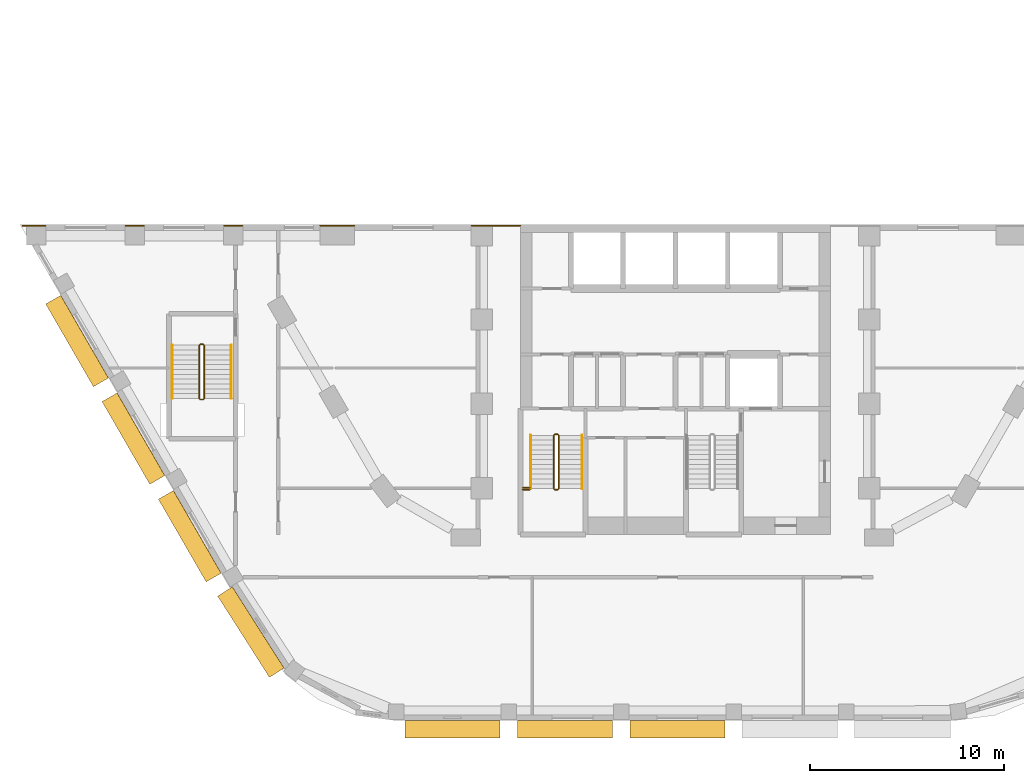
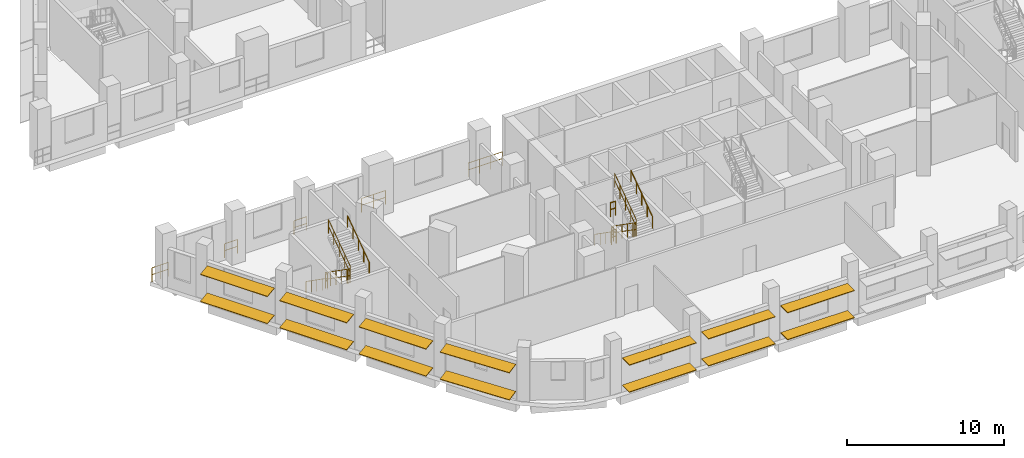
# One storey, part 35 of 45: 19 railings, 14 shading devices.
"""IFC4 building model written with IfcOpenShell, lengths in metres."""

from ifc_helpers import new_model, si_unit, direction, frame, origin, origin_2d, place, context, subcontext, project, spatial, rectangle, circle, extrude, material, material_profile, profile_set, type_object, element, save


model = new_model("IFC4")

# Units and contexts
model_context = context("Model", 3, precision=1e-05, world=origin(), true_north=direction((0.0, 1.0)))
body_context = subcontext(model_context, "Body", "Model", "MODEL_VIEW")
ifc_project = project(units=[si_unit("LENGTHUNIT", "METRE"), si_unit("AREAUNIT", "SQUARE_METRE"), si_unit("VOLUMEUNIT", "CUBIC_METRE"), si_unit("PLANEANGLEUNIT", "RADIAN"), si_unit("MASSUNIT", "GRAM", prefix="KILO")], contexts=[model_context])

# Site, building, storey
site_placement = place(None, origin())
site = spatial("IfcSite", under=ifc_project, at=site_placement, CompositionType="ELEMENT")
building_placement = place(site_placement, origin())
building = spatial("IfcBuilding", under=site, at=building_placement, Name="Nakaniwa Court", CompositionType="ELEMENT")
storey_placement = place(building_placement, frame((0.0, 0.0, 11.39990234375)))
storey = spatial("IfcBuildingStorey", under=building, at=storey_placement, Name="L02", CompositionType="ELEMENT", Elevation=11.39990234375)

# Shading devices
ifc_material_1 = material(Name="Perforated charcoal ceramic louvre blade")
ifc_material_profile = material_profile(ifc_material_1, rectangle(XDim=0.89990234375, YDim=0.050048828125, at=origin_2d()), Name="Perforated ceramic louvre blade")
ifc_profile_set = profile_set([ifc_material_profile], Name="Perforated charcoal ceramic louvre blade")
shading_device_type = type_object("IfcShadingDeviceType", Name="Perforated ceramic louvre blade", PredefinedType="JALOUSIE", material=ifc_profile_set)
for number, where, z_axis, x_axis, name in (
    (1, (47.884765625, 68.726318359375, 0.550048828125), (0.499988503985, -0.86603204091, 0.0), (0.858623016745, 0.495711033022, 0.13052619222), "L02 perforated ceramic louvre blade w13 1"),
    (2, (47.884765625, 68.726318359375, 2.650146484375), (0.499988503985, -0.86603204091, 0.0), (0.858623016745, 0.495711033022, 0.13052619222), "L02 perforated ceramic louvre blade w13 2"),
    (3, (50.793212890625, 63.68896484375, 0.550048828125), (0.499988503985, -0.86603204091, 0.0), (0.858623016745, 0.495711033022, 0.13052619222), "L02 perforated ceramic louvre blade w14 1"),
    (4, (50.793212890625, 63.68896484375, 2.650146484375), (0.499988503985, -0.86603204091, 0.0), (0.858623016745, 0.495711033022, 0.13052619222), "L02 perforated ceramic louvre blade w14 2"),
    (5, (53.701416015625, 58.651611328125, 0.550048828125), (0.499988503985, -0.86603204091, 0.0), (0.858623016745, 0.495711033022, 0.13052619222), "L02 perforated ceramic louvre blade w15 1"),
    (6, (53.701416015625, 58.651611328125, 2.650146484375), (0.499988503985, -0.86603204091, 0.0), (0.858623016745, 0.495711033022, 0.13052619222), "L02 perforated ceramic louvre blade w15 2"),
):
    element("IfcShadingDevice", number, at=place(storey_placement, frame(where, z_axis=z_axis, x_axis=x_axis)), inside=storey, type_object=shading_device_type, Name=name, PredefinedType="JALOUSIE", context=body_context, shape_type="SweptSolid", body=[
        extrude(rectangle(XDim=0.89990234375, YDim=0.050048828125, at=origin_2d()), origin(), (0.0, 0.0, 1.0), 4.9248046875),
    ])
for number, where, z_axis, x_axis, name in (
    (7, (56.75048828125, 53.664794921875, 0.550048828125), (0.537237750098, -0.843430850675, 0.0), (0.837322169417, 0.533346720771, 0.120136838835), "L02 perforated ceramic louvre blade w16 1"),
    (8, (56.75048828125, 53.664794921875, 2.650146484375), (0.537237750098, -0.843430850675, 0.0), (0.837322169417, 0.533346720771, 0.120136838835), "L02 perforated ceramic louvre blade w16 2"),
):
    element("IfcShadingDevice", number, at=place(storey_placement, frame(where, z_axis=z_axis, x_axis=x_axis)), inside=storey, type_object=shading_device_type, Name=name, PredefinedType="JALOUSIE", context=body_context, shape_type="SweptSolid", body=[
        extrude(rectangle(XDim=0.89990234375, YDim=0.050048828125, at=origin_2d()), origin(), (0.0, 0.0, 1.0), 4.970703125),
    ])
for number, where, z_axis, x_axis, name in (
    (9, (66.041748046875, 46.550048828125, 0.550048828125), (1.0, 0.0, 0.0), (0.0, 1.0, 0.0), "L02 perforated ceramic louvre blade w19 1"),
    (10, (66.041748046875, 46.550048828125, 2.650146484375), (1.0, 0.0, 0.0), (0.0, 1.0, 0.0), "L02 perforated ceramic louvre blade w19 2"),
):
    element("IfcShadingDevice", number, at=place(storey_placement, frame(where, z_axis=z_axis, x_axis=x_axis)), inside=storey, type_object=shading_device_type, Name=name, PredefinedType="JALOUSIE", context=body_context, shape_type="SweptSolid", body=[
        extrude(rectangle(XDim=0.89990234375, YDim=0.050048828125, at=origin_2d()), origin(), (0.0, 0.0, 1.0), 4.91015625),
    ])
for number, where, z_axis, x_axis, name in (
    (11, (71.843994140625, 46.550048828125, 0.550048828125), (1.0, 0.0, 0.0), (0.0, 1.0, 0.0), "L02 perforated ceramic louvre blade w20 1"),
    (12, (71.843994140625, 46.550048828125, 2.650146484375), (1.0, 0.0, 0.0), (0.0, 1.0, 0.0), "L02 perforated ceramic louvre blade w20 2"),
):
    element("IfcShadingDevice", number, at=place(storey_placement, frame(where, z_axis=z_axis, x_axis=x_axis)), inside=storey, type_object=shading_device_type, Name=name, PredefinedType="JALOUSIE", context=body_context, shape_type="SweptSolid", body=[
        extrude(rectangle(XDim=0.89990234375, YDim=0.050048828125, at=origin_2d()), origin(), (0.0, 0.0, 1.0), 4.910400390625),
    ])
for number, where, z_axis, x_axis, name in (
    (13, (77.646240234375, 46.550048828125, 0.550048828125), (1.0, 0.0, 0.0), (0.0, 1.0, 0.0), "L02 perforated ceramic louvre blade w21 1"),
    (14, (77.646240234375, 46.550048828125, 2.650146484375), (1.0, 0.0, 0.0), (0.0, 1.0, 0.0), "L02 perforated ceramic louvre blade w21 2"),
):
    element("IfcShadingDevice", number, at=place(storey_placement, frame(where, z_axis=z_axis, x_axis=x_axis)), inside=storey, type_object=shading_device_type, Name=name, PredefinedType="JALOUSIE", context=body_context, shape_type="SweptSolid", body=[
        extrude(rectangle(XDim=0.89990234375, YDim=0.050048828125, at=origin_2d()), origin(), (0.0, 0.0, 1.0), 4.91015625),
    ])

# Railings
ifc_material_2 = material(Name="Black powder coated steel guard", Category="steel")
railing_type_1 = type_object("IfcRailingType", Name="Stair guard 1100", PredefinedType="GUARDRAIL", material=ifc_material_2)
railing_1_placement = place(storey_placement, frame((73.72509765625, 61.72509765625, 0.175048828125)))
element("IfcRailing", 15, at=railing_1_placement, inside=storey, type_object=railing_type_1, Name="L02 ST3 stair guard 1", PredefinedType="GUARDRAIL", context=body_context, shape_type="SweptSolid", body=[
    extrude(circle(Radius=0.02392578125, at=origin_2d()), frame((0.0, 0.0, 1.076171875), z_axis=(0.0, -0.819225086817, 0.573472106672), x_axis=(1.0, 0.0, 0.0)), (0.0, 0.0, 1.0), 3.35693359375),
    extrude(circle(Radius=0.02392578125, at=origin_2d()), frame((0.0, 0.0, 0.550048828125), z_axis=(0.0, -0.819225086817, 0.573472106672), x_axis=(1.0, 0.0, 0.0)), (0.0, 0.0, 1.0), 3.35693359375),
    extrude(circle(Radius=0.02099609375, at=origin_2d()), origin(), (0.0, 0.0, 1.0), 1.052001953125),
    extrude(circle(Radius=0.02099609375, at=origin_2d()), frame((0.0, -0.6875, 0.481201171875)), (0.0, 0.0, 1.0), 1.052001953125),
    extrude(circle(Radius=0.02099609375, at=origin_2d()), frame((0.0, -1.375, 0.96240234375)), (0.0, 0.0, 1.0), 1.052001953125),
    extrude(circle(Radius=0.02099609375, at=origin_2d()), frame((0.0, -2.0625, 1.44384765625)), (0.0, 0.0, 1.0), 1.052001953125),
    extrude(circle(Radius=0.02099609375, at=origin_2d()), frame((0.0, -2.75, 1.925048828125)), (0.0, 0.0, 1.0), 1.052001953125),
])
railing_2_placement = place(storey_placement, frame((73.77490234375, 58.925048828125, 2.10009765625)))
element("IfcRailing", 16, at=railing_2_placement, inside=storey, type_object=railing_type_1, Name="L02 ST3 stair guard 2", PredefinedType="GUARDRAIL", context=body_context, shape_type="SweptSolid", body=[
    extrude(circle(Radius=0.02392578125, at=origin_2d()), frame((0.0, 0.0, 1.076171875), z_axis=(1.0, 0.0, 0.0), x_axis=(0.0, 1.0, 0.0)), (0.0, 0.0, 1.0), 0.150146484375),
    extrude(circle(Radius=0.02392578125, at=origin_2d()), frame((0.0, 0.0, 0.550048828125), z_axis=(1.0, 0.0, 0.0), x_axis=(0.0, 1.0, 0.0)), (0.0, 0.0, 1.0), 0.150146484375),
    extrude(circle(Radius=0.02099609375, at=origin_2d()), origin(), (0.0, 0.0, 1.0), 1.052001953125),
    extrude(circle(Radius=0.02099609375, at=origin_2d()), frame((0.150146484375, 0.0, 0.0)), (0.0, 0.0, 1.0), 1.052001953125),
])
railing_3_placement = place(storey_placement, frame((73.97509765625, 58.97509765625, 2.275146484375)))
element("IfcRailing", 17, at=railing_3_placement, inside=storey, type_object=railing_type_1, Name="L02 ST3 stair guard 3", PredefinedType="GUARDRAIL", context=body_context, shape_type="SweptSolid", body=[
    extrude(circle(Radius=0.02392578125, at=origin_2d()), frame((0.0, 0.0, 1.076171875), z_axis=(0.0, 0.819225086817, 0.573472106672), x_axis=(-1.0, 0.0, 0.0)), (0.0, 0.0, 1.0), 3.35693359375),
    extrude(circle(Radius=0.02392578125, at=origin_2d()), frame((0.0, 0.0, 0.550048828125), z_axis=(0.0, 0.819225086817, 0.573472106672), x_axis=(-1.0, 0.0, 0.0)), (0.0, 0.0, 1.0), 3.35693359375),
    extrude(circle(Radius=0.02099609375, at=origin_2d()), origin(), (0.0, 0.0, 1.0), 1.052001953125),
    extrude(circle(Radius=0.02099609375, at=origin_2d()), frame((0.0, 0.6875, 0.481201171875)), (0.0, 0.0, 1.0), 1.052001953125),
    extrude(circle(Radius=0.02099609375, at=origin_2d()), frame((0.0, 1.375, 0.96240234375)), (0.0, 0.0, 1.0), 1.052001953125),
    extrude(circle(Radius=0.02099609375, at=origin_2d()), frame((0.0, 2.0625, 1.44384765625)), (0.0, 0.0, 1.0), 1.052001953125),
    extrude(circle(Radius=0.02099609375, at=origin_2d()), frame((0.0, 2.75, 1.925048828125)), (0.0, 0.0, 1.0), 1.052001953125),
])
railing_4_placement = place(storey_placement, frame((73.77490234375, 61.77490234375, 0.0)))
element("IfcRailing", 18, at=railing_4_placement, inside=storey, type_object=railing_type_1, Name="L02 ST3 stair guard 4", PredefinedType="GUARDRAIL", context=body_context, shape_type="SweptSolid", body=[
    extrude(circle(Radius=0.02392578125, at=origin_2d()), frame((0.0, 0.0, 1.076171875), z_axis=(1.0, 0.0, 0.0), x_axis=(0.0, 1.0, 0.0)), (0.0, 0.0, 1.0), 0.150146484375),
    extrude(circle(Radius=0.02392578125, at=origin_2d()), frame((0.0, 0.0, 0.550048828125), z_axis=(1.0, 0.0, 0.0), x_axis=(0.0, 1.0, 0.0)), (0.0, 0.0, 1.0), 0.150146484375),
    extrude(circle(Radius=0.02099609375, at=origin_2d()), origin(), (0.0, 0.0, 1.0), 1.052001953125),
    extrude(circle(Radius=0.02099609375, at=origin_2d()), frame((0.150146484375, 0.0, 0.0)), (0.0, 0.0, 1.0), 1.052001953125),
])
for number, where, name in (
    (19, (72.125, 58.925048828125, 2.10009765625), "L02 ST3 landing side guard 1W"),
    (20, (72.125, 59.02490234375, 4.2001953125), "L02 ST3 floor edge guard 1W"),
):
    element("IfcRailing", number, at=place(storey_placement, frame(where)), inside=storey, type_object=railing_type_1, Name=name, PredefinedType="GUARDRAIL", context=body_context, shape_type="SweptSolid", body=[
        extrude(circle(Radius=0.02392578125, at=origin_2d()), frame((0.0, 0.0, 1.076171875), z_axis=(1.0, 0.0, 0.0), x_axis=(0.0, 1.0, 0.0)), (0.0, 0.0, 1.0), 0.35009765625),
        extrude(circle(Radius=0.02392578125, at=origin_2d()), frame((0.0, 0.0, 0.550048828125), z_axis=(1.0, 0.0, 0.0), x_axis=(0.0, 1.0, 0.0)), (0.0, 0.0, 1.0), 0.35009765625),
        extrude(circle(Radius=0.02099609375, at=origin_2d()), origin(), (0.0, 0.0, 1.0), 1.052001953125),
        extrude(circle(Radius=0.02099609375, at=origin_2d()), frame((0.35009765625, 0.0, 0.0)), (0.0, 0.0, 1.0), 1.052001953125),
    ])
railing_5_placement = place(storey_placement, frame((55.425048828125, 66.375, 0.175048828125)))
element("IfcRailing", 21, at=railing_5_placement, inside=storey, type_object=railing_type_1, Name="L02 SS4 stair guard 1", PredefinedType="GUARDRAIL", context=body_context, shape_type="SweptSolid", body=[
    extrude(circle(Radius=0.02392578125, at=origin_2d()), frame((0.0, 0.0, 1.076171875), z_axis=(0.0, -0.819225086817, 0.573472106672), x_axis=(1.0, 0.0, 0.0)), (0.0, 0.0, 1.0), 3.35693359375),
    extrude(circle(Radius=0.02392578125, at=origin_2d()), frame((0.0, 0.0, 0.550048828125), z_axis=(0.0, -0.819225086817, 0.573472106672), x_axis=(1.0, 0.0, 0.0)), (0.0, 0.0, 1.0), 3.35693359375),
    extrude(circle(Radius=0.02099609375, at=origin_2d()), origin(), (0.0, 0.0, 1.0), 1.052001953125),
    extrude(circle(Radius=0.02099609375, at=origin_2d()), frame((0.0, -0.6875, 0.481201171875)), (0.0, 0.0, 1.0), 1.052001953125),
    extrude(circle(Radius=0.02099609375, at=origin_2d()), frame((0.0, -1.375, 0.96240234375)), (0.0, 0.0, 1.0), 1.052001953125),
    extrude(circle(Radius=0.02099609375, at=origin_2d()), frame((0.0, -2.0625, 1.44384765625)), (0.0, 0.0, 1.0), 1.052001953125),
    extrude(circle(Radius=0.02099609375, at=origin_2d()), frame((0.0, -2.75, 1.925048828125)), (0.0, 0.0, 1.0), 1.052001953125),
])
railing_6_placement = place(storey_placement, frame((55.47509765625, 63.574951171875, 2.10009765625)))
element("IfcRailing", 22, at=railing_6_placement, inside=storey, type_object=railing_type_1, Name="L02 SS4 stair guard 2", PredefinedType="GUARDRAIL", context=body_context, shape_type="SweptSolid", body=[
    extrude(circle(Radius=0.02392578125, at=origin_2d()), frame((0.0, 0.0, 1.076171875), z_axis=(1.0, 0.0, 0.0), x_axis=(0.0, 1.0, 0.0)), (0.0, 0.0, 1.0), 0.14990234375),
    extrude(circle(Radius=0.02392578125, at=origin_2d()), frame((0.0, 0.0, 0.550048828125), z_axis=(1.0, 0.0, 0.0), x_axis=(0.0, 1.0, 0.0)), (0.0, 0.0, 1.0), 0.14990234375),
    extrude(circle(Radius=0.02099609375, at=origin_2d()), origin(), (0.0, 0.0, 1.0), 1.052001953125),
    extrude(circle(Radius=0.02099609375, at=origin_2d()), frame((0.14990234375, 0.0, 0.0)), (0.0, 0.0, 1.0), 1.052001953125),
])
railing_7_placement = place(storey_placement, frame((55.675048828125, 63.625, 2.275146484375)))
element("IfcRailing", 23, at=railing_7_placement, inside=storey, type_object=railing_type_1, Name="L02 SS4 stair guard 3", PredefinedType="GUARDRAIL", context=body_context, shape_type="SweptSolid", body=[
    extrude(circle(Radius=0.02392578125, at=origin_2d()), frame((0.0, 0.0, 1.076171875), z_axis=(0.0, 0.819225086817, 0.573472106672), x_axis=(-1.0, 0.0, 0.0)), (0.0, 0.0, 1.0), 3.35693359375),
    extrude(circle(Radius=0.02392578125, at=origin_2d()), frame((0.0, 0.0, 0.550048828125), z_axis=(0.0, 0.819225086817, 0.573472106672), x_axis=(-1.0, 0.0, 0.0)), (0.0, 0.0, 1.0), 3.35693359375),
    extrude(circle(Radius=0.02099609375, at=origin_2d()), origin(), (0.0, 0.0, 1.0), 1.052001953125),
    extrude(circle(Radius=0.02099609375, at=origin_2d()), frame((0.0, 0.6875, 0.481201171875)), (0.0, 0.0, 1.0), 1.052001953125),
    extrude(circle(Radius=0.02099609375, at=origin_2d()), frame((0.0, 1.375, 0.96240234375)), (0.0, 0.0, 1.0), 1.052001953125),
    extrude(circle(Radius=0.02099609375, at=origin_2d()), frame((0.0, 2.0625, 1.44384765625)), (0.0, 0.0, 1.0), 1.052001953125),
    extrude(circle(Radius=0.02099609375, at=origin_2d()), frame((0.0, 2.75, 1.925048828125)), (0.0, 0.0, 1.0), 1.052001953125),
])
railing_8_placement = place(storey_placement, frame((55.47509765625, 66.425048828125, 0.0)))
element("IfcRailing", 24, at=railing_8_placement, inside=storey, type_object=railing_type_1, Name="L02 SS4 stair guard 4", PredefinedType="GUARDRAIL", context=body_context, shape_type="SweptSolid", body=[
    extrude(circle(Radius=0.02392578125, at=origin_2d()), frame((0.0, 0.0, 1.076171875), z_axis=(1.0, 0.0, 0.0), x_axis=(0.0, 1.0, 0.0)), (0.0, 0.0, 1.0), 0.14990234375),
    extrude(circle(Radius=0.02392578125, at=origin_2d()), frame((0.0, 0.0, 0.550048828125), z_axis=(1.0, 0.0, 0.0), x_axis=(0.0, 1.0, 0.0)), (0.0, 0.0, 1.0), 0.14990234375),
    extrude(circle(Radius=0.02099609375, at=origin_2d()), origin(), (0.0, 0.0, 1.0), 1.052001953125),
    extrude(circle(Radius=0.02099609375, at=origin_2d()), frame((0.14990234375, 0.0, 0.0)), (0.0, 0.0, 1.0), 1.052001953125),
])
railing_9_placement = place(storey_placement, frame((46.297119140625, 72.550048828125, 0.0)))
element("IfcRailing", 25, at=railing_9_placement, inside=storey, type_object=railing_type_1, Name="GUARD GD-L02-021", PredefinedType="GUARDRAIL", context=body_context, shape_type="SweptSolid", body=[
    extrude(circle(Radius=0.02392578125, at=origin_2d()), frame((0.0, 0.0, 1.076171875), z_axis=(1.0, 0.0, 0.0), x_axis=(0.0, 1.0, 0.0)), (0.0, 0.0, 1.0), 1.18896484375),
    extrude(circle(Radius=0.02392578125, at=origin_2d()), frame((0.0, 0.0, 0.550048828125), z_axis=(1.0, 0.0, 0.0), x_axis=(0.0, 1.0, 0.0)), (0.0, 0.0, 1.0), 1.18896484375),
    extrude(circle(Radius=0.02099609375, at=origin_2d()), origin(), (0.0, 0.0, 1.0), 1.052001953125),
    extrude(circle(Radius=0.02099609375, at=origin_2d()), frame((0.594482421875, 0.0, 0.0)), (0.0, 0.0, 1.0), 1.052001953125),
    extrude(circle(Radius=0.02099609375, at=origin_2d()), frame((1.18896484375, 0.0, 0.0)), (0.0, 0.0, 1.0), 1.052001953125),
])
railing_10_placement = place(storey_placement, frame((51.610107421875, 72.550048828125, 0.0)))
element("IfcRailing", 26, at=railing_10_placement, inside=storey, type_object=railing_type_1, Name="GUARD GD-L02-022", PredefinedType="GUARDRAIL", context=body_context, shape_type="SweptSolid", body=[
    extrude(circle(Radius=0.02392578125, at=origin_2d()), frame((0.0, 0.0, 1.076171875), z_axis=(1.0, 0.0, 0.0), x_axis=(0.0, 1.0, 0.0)), (0.0, 0.0, 1.0), 0.95947265625),
    extrude(circle(Radius=0.02392578125, at=origin_2d()), frame((0.0, 0.0, 0.550048828125), z_axis=(1.0, 0.0, 0.0), x_axis=(0.0, 1.0, 0.0)), (0.0, 0.0, 1.0), 0.95947265625),
    extrude(circle(Radius=0.02099609375, at=origin_2d()), origin(), (0.0, 0.0, 1.0), 1.052001953125),
    extrude(circle(Radius=0.02099609375, at=origin_2d()), frame((0.95947265625, 0.0, 0.0)), (0.0, 0.0, 1.0), 1.052001953125),
])
railing_11_placement = place(storey_placement, frame((56.703857421875, 72.550048828125, 0.0)))
element("IfcRailing", 27, at=railing_11_placement, inside=storey, type_object=railing_type_1, Name="GUARD GD-L02-023", PredefinedType="GUARDRAIL", context=body_context, shape_type="SweptSolid", body=[
    extrude(circle(Radius=0.02392578125, at=origin_2d()), frame((0.0, 0.0, 1.076171875), z_axis=(1.0, 0.0, 0.0), x_axis=(0.0, 1.0, 0.0)), (0.0, 0.0, 1.0), 0.939453125),
    extrude(circle(Radius=0.02392578125, at=origin_2d()), frame((0.0, 0.0, 0.550048828125), z_axis=(1.0, 0.0, 0.0), x_axis=(0.0, 1.0, 0.0)), (0.0, 0.0, 1.0), 0.939453125),
    extrude(circle(Radius=0.02099609375, at=origin_2d()), origin(), (0.0, 0.0, 1.0), 1.052001953125),
    extrude(circle(Radius=0.02099609375, at=origin_2d()), frame((0.939453125, 0.0, 0.0)), (0.0, 0.0, 1.0), 1.052001953125),
])
railing_12_placement = place(storey_placement, frame((61.65771484375, 72.550048828125, 0.0)))
element("IfcRailing", 28, at=railing_12_placement, inside=storey, type_object=railing_type_1, Name="GUARD GD-L02-024", PredefinedType="GUARDRAIL", context=body_context, shape_type="SweptSolid", body=[
    extrude(circle(Radius=0.02392578125, at=origin_2d()), frame((0.0, 0.0, 1.076171875), z_axis=(1.0, 0.0, 0.0), x_axis=(0.0, 1.0, 0.0)), (0.0, 0.0, 1.0), 1.768310546875),
    extrude(circle(Radius=0.02392578125, at=origin_2d()), frame((0.0, 0.0, 0.550048828125), z_axis=(1.0, 0.0, 0.0), x_axis=(0.0, 1.0, 0.0)), (0.0, 0.0, 1.0), 1.768310546875),
    extrude(circle(Radius=0.02099609375, at=origin_2d()), origin(), (0.0, 0.0, 1.0), 1.052001953125),
    extrude(circle(Radius=0.02099609375, at=origin_2d()), frame((0.88427734375, 0.0, 0.0)), (0.0, 0.0, 1.0), 1.052001953125),
    extrude(circle(Radius=0.02099609375, at=origin_2d()), frame((1.768310546875, 0.0, 0.0)), (0.0, 0.0, 1.0), 1.052001953125),
])
railing_13_placement = place(storey_placement, frame((69.47802734375, 72.550048828125, 0.0)))
element("IfcRailing", 29, at=railing_13_placement, inside=storey, type_object=railing_type_1, Name="GUARD GD-L02-025", PredefinedType="GUARDRAIL", context=body_context, shape_type="SweptSolid", body=[
    extrude(circle(Radius=0.02392578125, at=origin_2d()), frame((0.0, 0.0, 1.076171875), z_axis=(1.0, 0.0, 0.0), x_axis=(0.0, 1.0, 0.0)), (0.0, 0.0, 1.0), 2.507080078125),
    extrude(circle(Radius=0.02392578125, at=origin_2d()), frame((0.0, 0.0, 0.550048828125), z_axis=(1.0, 0.0, 0.0), x_axis=(0.0, 1.0, 0.0)), (0.0, 0.0, 1.0), 2.507080078125),
    extrude(circle(Radius=0.02099609375, at=origin_2d()), origin(), (0.0, 0.0, 1.0), 1.052001953125),
    extrude(circle(Radius=0.02099609375, at=origin_2d()), frame((0.835693359375, 0.0, 0.0)), (0.0, 0.0, 1.0), 1.052001953125),
    extrude(circle(Radius=0.02099609375, at=origin_2d()), frame((1.67138671875, 0.0, 0.0)), (0.0, 0.0, 1.0), 1.052001953125),
    extrude(circle(Radius=0.02099609375, at=origin_2d()), frame((2.507080078125, 0.0, 0.0)), (0.0, 0.0, 1.0), 1.052001953125),
])
ifc_material_3 = material(Name="Black powder coated steel handrail", Category="steel")
railing_type_2 = type_object("IfcRailingType", Name="Stair handrail 900", PredefinedType="HANDRAIL", material=ifc_material_3)
railing_14_placement = place(storey_placement, frame((72.52490234375, 61.72509765625, 0.175048828125)))
element("IfcRailing", 30, at=railing_14_placement, inside=storey, type_object=railing_type_2, Name="L02 ST3 stair handrail 1", PredefinedType="HANDRAIL", context=body_context, shape_type="SweptSolid", body=[
    extrude(circle(Radius=0.02392578125, at=origin_2d()), frame((0.0, 0.0, 0.8759765625), z_axis=(0.0, -0.819225086817, 0.573472106672), x_axis=(1.0, 0.0, 0.0)), (0.0, 0.0, 1.0), 3.35693359375),
    extrude(circle(Radius=0.02099609375, at=origin_2d()), origin(), (0.0, 0.0, 1.0), 0.851806640625),
    extrude(circle(Radius=0.02099609375, at=origin_2d()), frame((0.0, -0.6875, 0.481201171875)), (0.0, 0.0, 1.0), 0.851806640625),
    extrude(circle(Radius=0.02099609375, at=origin_2d()), frame((0.0, -1.375, 0.96240234375)), (0.0, 0.0, 1.0), 0.851806640625),
    extrude(circle(Radius=0.02099609375, at=origin_2d()), frame((0.0, -2.0625, 1.44384765625)), (0.0, 0.0, 1.0), 0.851806640625),
    extrude(circle(Radius=0.02099609375, at=origin_2d()), frame((0.0, -2.75, 1.925048828125)), (0.0, 0.0, 1.0), 0.851806640625),
])
railing_15_placement = place(storey_placement, frame((75.175048828125, 58.97509765625, 2.275146484375)))
element("IfcRailing", 31, at=railing_15_placement, inside=storey, type_object=railing_type_2, Name="L02 ST3 stair handrail 2", PredefinedType="HANDRAIL", context=body_context, shape_type="SweptSolid", body=[
    extrude(circle(Radius=0.02392578125, at=origin_2d()), frame((0.0, 0.0, 0.8759765625), z_axis=(0.0, 0.819225086817, 0.573472106672), x_axis=(-1.0, 0.0, 0.0)), (0.0, 0.0, 1.0), 3.35693359375),
    extrude(circle(Radius=0.02099609375, at=origin_2d()), origin(), (0.0, 0.0, 1.0), 0.851806640625),
    extrude(circle(Radius=0.02099609375, at=origin_2d()), frame((0.0, 0.6875, 0.481201171875)), (0.0, 0.0, 1.0), 0.851806640625),
    extrude(circle(Radius=0.02099609375, at=origin_2d()), frame((0.0, 1.375, 0.96240234375)), (0.0, 0.0, 1.0), 0.851806640625),
    extrude(circle(Radius=0.02099609375, at=origin_2d()), frame((0.0, 2.0625, 1.44384765625)), (0.0, 0.0, 1.0), 0.851806640625),
    extrude(circle(Radius=0.02099609375, at=origin_2d()), frame((0.0, 2.75, 1.925048828125)), (0.0, 0.0, 1.0), 0.851806640625),
])
railing_16_placement = place(storey_placement, frame((54.02490234375, 66.375, 0.175048828125)))
element("IfcRailing", 32, at=railing_16_placement, inside=storey, type_object=railing_type_2, Name="L02 SS4 stair handrail 1", PredefinedType="HANDRAIL", context=body_context, shape_type="SweptSolid", body=[
    extrude(circle(Radius=0.02392578125, at=origin_2d()), frame((0.0, 0.0, 0.8759765625), z_axis=(0.0, -0.819225086817, 0.573472106672), x_axis=(1.0, 0.0, 0.0)), (0.0, 0.0, 1.0), 3.35693359375),
    extrude(circle(Radius=0.02099609375, at=origin_2d()), origin(), (0.0, 0.0, 1.0), 0.851806640625),
    extrude(circle(Radius=0.02099609375, at=origin_2d()), frame((0.0, -0.6875, 0.481201171875)), (0.0, 0.0, 1.0), 0.851806640625),
    extrude(circle(Radius=0.02099609375, at=origin_2d()), frame((0.0, -1.375, 0.96240234375)), (0.0, 0.0, 1.0), 0.851806640625),
    extrude(circle(Radius=0.02099609375, at=origin_2d()), frame((0.0, -2.0625, 1.44384765625)), (0.0, 0.0, 1.0), 0.851806640625),
    extrude(circle(Radius=0.02099609375, at=origin_2d()), frame((0.0, -2.75, 1.925048828125)), (0.0, 0.0, 1.0), 0.851806640625),
])
railing_17_placement = place(storey_placement, frame((57.074951171875, 63.625, 2.275146484375)))
element("IfcRailing", 33, at=railing_17_placement, inside=storey, type_object=railing_type_2, Name="L02 SS4 stair handrail 2", PredefinedType="HANDRAIL", context=body_context, shape_type="SweptSolid", body=[
    extrude(circle(Radius=0.02392578125, at=origin_2d()), frame((0.0, 0.0, 0.8759765625), z_axis=(0.0, 0.819225086817, 0.573472106672), x_axis=(-1.0, 0.0, 0.0)), (0.0, 0.0, 1.0), 3.35693359375),
    extrude(circle(Radius=0.02099609375, at=origin_2d()), origin(), (0.0, 0.0, 1.0), 0.851806640625),
    extrude(circle(Radius=0.02099609375, at=origin_2d()), frame((0.0, 0.6875, 0.481201171875)), (0.0, 0.0, 1.0), 0.851806640625),
    extrude(circle(Radius=0.02099609375, at=origin_2d()), frame((0.0, 1.375, 0.96240234375)), (0.0, 0.0, 1.0), 0.851806640625),
    extrude(circle(Radius=0.02099609375, at=origin_2d()), frame((0.0, 2.0625, 1.44384765625)), (0.0, 0.0, 1.0), 0.851806640625),
    extrude(circle(Radius=0.02099609375, at=origin_2d()), frame((0.0, 2.75, 1.925048828125)), (0.0, 0.0, 1.0), 0.851806640625),
])

save(model, "model.ifc")
